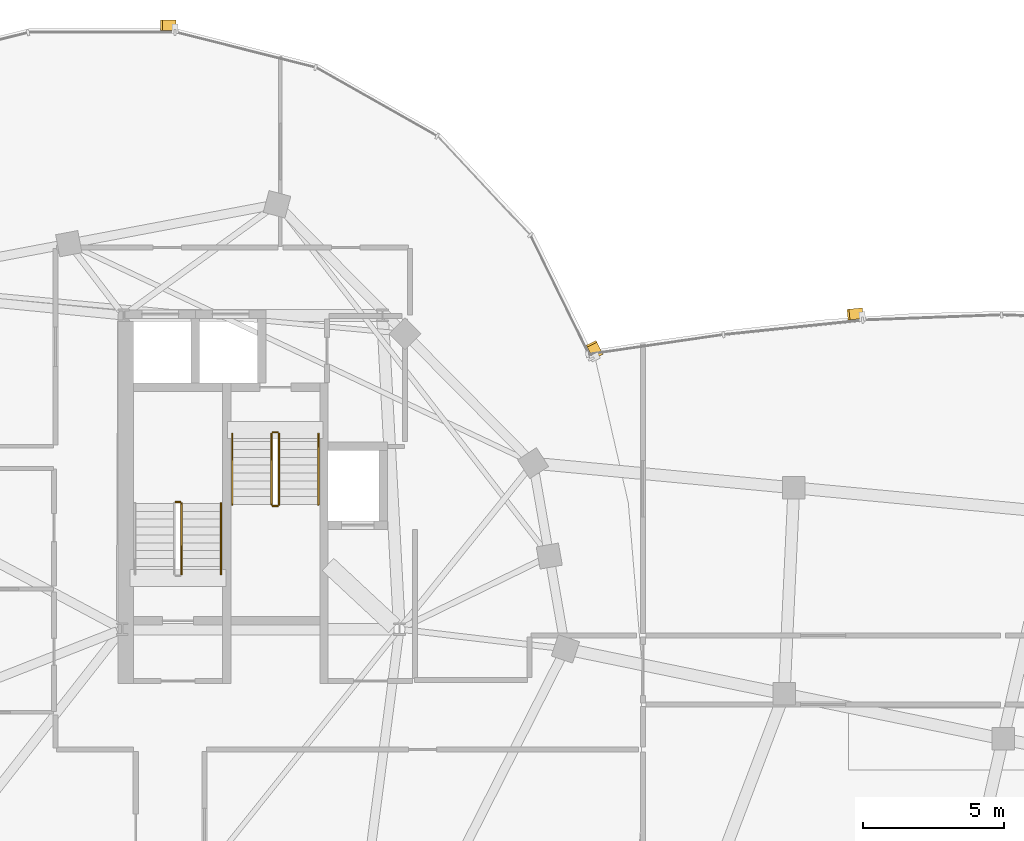
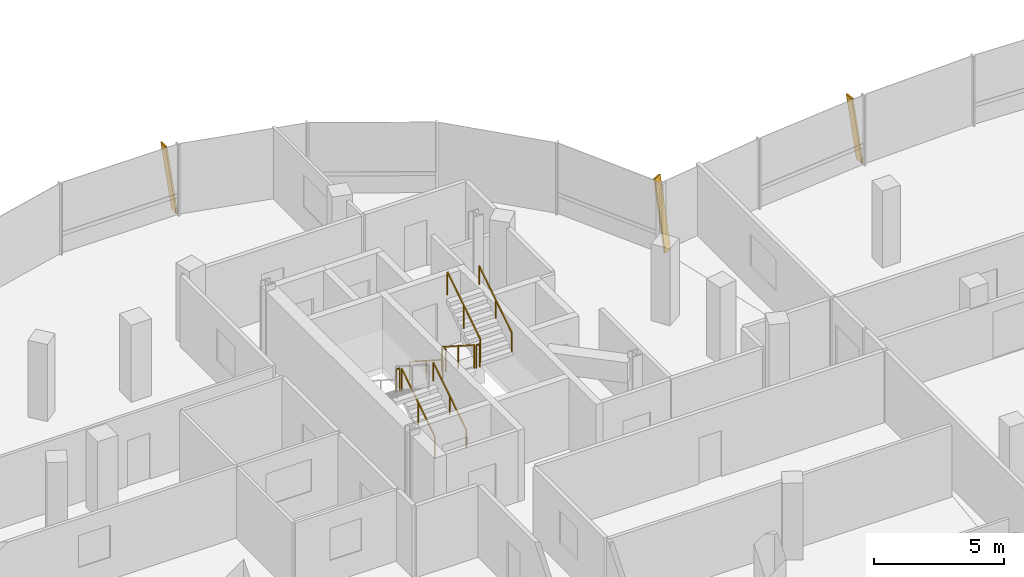
# One storey, part 24 of 26: 9 railings, 3 shading devices.
"""IFC4 building model written with IfcOpenShell, lengths in metres."""

from ifc_helpers import new_model, si_unit, direction, frame, origin, origin_2d, place, context, subcontext, project, spatial, rectangle, extrude, material, material_profile, profile_set, type_object, element, save


model = new_model("IFC4")

# Units and contexts
model_context = context("Model", 3, precision=1e-05, world=origin(), true_north=direction((0.0, 1.0)))
body_context = subcontext(model_context, "Body", "Model", "MODEL_VIEW")
ifc_project = project(units=[si_unit("LENGTHUNIT", "METRE"), si_unit("AREAUNIT", "SQUARE_METRE"), si_unit("VOLUMEUNIT", "CUBIC_METRE"), si_unit("PLANEANGLEUNIT", "RADIAN"), si_unit("MASSUNIT", "GRAM", prefix="KILO"), si_unit("THERMODYNAMICTEMPERATUREUNIT", "KELVIN"), si_unit("POWERUNIT", "WATT")], contexts=[model_context])

# Site, building, storey
site_placement = place(None, origin())
site = spatial("IfcSite", under=ifc_project, at=site_placement, CompositionType="ELEMENT")
building_placement = place(site_placement, origin())
building = spatial("IfcBuilding", under=site, at=building_placement, Name="Cundina Bronze Exchange", CompositionType="ELEMENT")
storey_placement = place(building_placement, frame((0.0, 0.0, 243.199951171875)))
storey = spatial("IfcBuildingStorey", under=building, at=storey_placement, Name="L64", CompositionType="ELEMENT", Elevation=243.199951171875)

# Railings
ifc_material_1 = material(Name="Steel ASTM A36 Painted", Category="steel")
railing_type_1 = type_object("IfcRailingType", Name="RLG-HND-900", PredefinedType="HANDRAIL", material=ifc_material_1)
railing_1_placement = place(storey_placement, frame((-27.7900390625, 5.85009765625, 0.179931640625)))
element("IfcRailing", 1, at=railing_1_placement, inside=storey, type_object=railing_type_1, Name="L64 ST-W1 stair handrail 1", PredefinedType="HANDRAIL", context=body_context, shape_type="SweptSolid", body=[
    extrude(rectangle(XDim=0.048095703125, YDim=0.048095703125, at=origin_2d()), frame((0.0, 0.0, 0.8759765625), z_axis=(0.0, 0.841162588446, 0.540782303519), x_axis=(-1.0, 0.0, 0.0)), (0.0, 0.0, 1.0), 2.995849609375),
    extrude(rectangle(XDim=0.0419921875, YDim=0.0419921875, at=origin_2d()), origin(), (0.0, 0.0, 1.0), 0.851806640625),
    extrude(rectangle(XDim=0.0419921875, YDim=0.0419921875, at=origin_2d()), frame((0.0, 1.260009765625, 0.81005859375)), (0.0, 0.0, 1.0), 0.851806640625),
    extrude(rectangle(XDim=0.0419921875, YDim=0.0419921875, at=origin_2d()), frame((0.0, 2.52001953125, 1.6201171875)), (0.0, 0.0, 1.0), 0.851806640625),
])
railing_2_placement = place(storey_placement, frame((-27.389892578125, 10.85009765625, 0.179931640625)))
element("IfcRailing", 2, at=railing_2_placement, inside=storey, type_object=railing_type_1, Name="L64 ST-W2 stair handrail 1", PredefinedType="HANDRAIL", context=body_context, shape_type="SweptSolid", body=[
    extrude(rectangle(XDim=0.048095703125, YDim=0.048095703125, at=origin_2d()), frame((0.0, 0.0, 0.8759765625), z_axis=(0.0, -0.841162588446, 0.540782303519), x_axis=(1.0, 0.0, 0.0)), (0.0, 0.0, 1.0), 2.995849609375),
    extrude(rectangle(XDim=0.0419921875, YDim=0.0419921875, at=origin_2d()), origin(), (0.0, 0.0, 1.0), 0.851806640625),
    extrude(rectangle(XDim=0.0419921875, YDim=0.0419921875, at=origin_2d()), frame((0.0, -1.260009765625, 0.81005859375)), (0.0, 0.0, 1.0), 0.851806640625),
    extrude(rectangle(XDim=0.0419921875, YDim=0.0419921875, at=origin_2d()), frame((0.0, -2.52001953125, 1.6201171875)), (0.0, 0.0, 1.0), 0.851806640625),
])
railing_3_placement = place(storey_placement, frame((-24.330078125, 8.330078125, 1.97998046875)))
element("IfcRailing", 3, at=railing_3_placement, inside=storey, type_object=railing_type_1, Name="L64 ST-W2 stair handrail 2", PredefinedType="HANDRAIL", context=body_context, shape_type="SweptSolid", body=[
    extrude(rectangle(XDim=0.048095703125, YDim=0.048095703125, at=origin_2d()), frame((0.0, 0.0, 0.8759765625), z_axis=(0.0, 0.841162588446, 0.540782303519), x_axis=(-1.0, 0.0, 0.0)), (0.0, 0.0, 1.0), 2.995849609375),
    extrude(rectangle(XDim=0.0419921875, YDim=0.0419921875, at=origin_2d()), origin(), (0.0, 0.0, 1.0), 0.851806640625),
    extrude(rectangle(XDim=0.0419921875, YDim=0.0419921875, at=origin_2d()), frame((0.0, 1.260009765625, 0.81005859375)), (0.0, 0.0, 1.0), 0.851806640625),
    extrude(rectangle(XDim=0.0419921875, YDim=0.0419921875, at=origin_2d()), frame((0.0, 2.52001953125, 1.6201171875)), (0.0, 0.0, 1.0), 0.851806640625),
])
railing_type_2 = type_object("IfcRailingType", Name="RLG-STG-1100", PredefinedType="GUARDRAIL", material=ifc_material_1)
railing_4_placement = place(storey_placement, frame((-29.18994140625, 5.85009765625, 0.179931640625)))
element("IfcRailing", 4, at=railing_4_placement, inside=storey, type_object=railing_type_2, Name="L64 ST-W1 stair guard 1", PredefinedType="GUARDRAIL", context=body_context, shape_type="SweptSolid", body=[
    extrude(rectangle(XDim=0.048095703125, YDim=0.048095703125, at=origin_2d()), frame((0.0, 0.0, 1.076171875), z_axis=(0.0, 0.841162588446, 0.540782303519), x_axis=(-1.0, 0.0, 0.0)), (0.0, 0.0, 1.0), 2.995849609375),
    extrude(rectangle(XDim=0.0419921875, YDim=0.0419921875, at=origin_2d()), origin(), (0.0, 0.0, 1.0), 1.052001953125),
    extrude(rectangle(XDim=0.0419921875, YDim=0.0419921875, at=origin_2d()), frame((0.0, 1.260009765625, 0.81005859375)), (0.0, 0.0, 1.0), 1.052001953125),
    extrude(rectangle(XDim=0.0419921875, YDim=0.0419921875, at=origin_2d()), frame((0.0, 2.52001953125, 1.6201171875)), (0.0, 0.0, 1.0), 1.052001953125),
])
railing_5_placement = place(storey_placement, frame((-29.239990234375, 8.419921875, 1.800048828125)))
element("IfcRailing", 5, at=railing_5_placement, inside=storey, type_object=railing_type_2, Name="L64 ST-W1 stair guard 2", PredefinedType="GUARDRAIL", context=body_context, shape_type="SweptSolid", body=[
    extrude(rectangle(XDim=0.048095703125, YDim=0.048095703125, at=origin_2d()), frame((0.0, 0.0, 1.076171875), z_axis=(-1.0, 0.0, 0.0), x_axis=(0.0, -1.0, 0.0)), (0.0, 0.0, 1.0), 0.159912109375),
    extrude(rectangle(XDim=0.0419921875, YDim=0.0419921875, at=origin_2d()), origin(), (0.0, 0.0, 1.0), 1.052001953125),
    extrude(rectangle(XDim=0.0419921875, YDim=0.0419921875, at=origin_2d()), frame((-0.159912109375, 0.0, 0.0)), (0.0, 0.0, 1.0), 1.052001953125),
])
railing_6_placement = place(storey_placement, frame((-25.989990234375, 10.85009765625, 0.179931640625)))
element("IfcRailing", 6, at=railing_6_placement, inside=storey, type_object=railing_type_2, Name="L64 ST-W2 stair guard 1", PredefinedType="GUARDRAIL", context=body_context, shape_type="SweptSolid", body=[
    extrude(rectangle(XDim=0.048095703125, YDim=0.048095703125, at=origin_2d()), frame((0.0, 0.0, 1.076171875), z_axis=(0.0, -0.841162588446, 0.540782303519), x_axis=(1.0, 0.0, 0.0)), (0.0, 0.0, 1.0), 2.995849609375),
    extrude(rectangle(XDim=0.0419921875, YDim=0.0419921875, at=origin_2d()), origin(), (0.0, 0.0, 1.0), 1.052001953125),
    extrude(rectangle(XDim=0.0419921875, YDim=0.0419921875, at=origin_2d()), frame((0.0, -1.260009765625, 0.81005859375)), (0.0, 0.0, 1.0), 1.052001953125),
    extrude(rectangle(XDim=0.0419921875, YDim=0.0419921875, at=origin_2d()), frame((0.0, -2.52001953125, 1.6201171875)), (0.0, 0.0, 1.0), 1.052001953125),
])
railing_7_placement = place(storey_placement, frame((-25.93994140625, 8.280029296875, 1.800048828125)))
element("IfcRailing", 7, at=railing_7_placement, inside=storey, type_object=railing_type_2, Name="L64 ST-W2 stair guard 2", PredefinedType="GUARDRAIL", context=body_context, shape_type="SweptSolid", body=[
    extrude(rectangle(XDim=0.048095703125, YDim=0.048095703125, at=origin_2d()), frame((0.0, 0.0, 1.076171875), z_axis=(1.0, 0.0, 0.0), x_axis=(0.0, 1.0, 0.0)), (0.0, 0.0, 1.0), 0.159912109375),
    extrude(rectangle(XDim=0.0419921875, YDim=0.0419921875, at=origin_2d()), origin(), (0.0, 0.0, 1.0), 1.052001953125),
    extrude(rectangle(XDim=0.0419921875, YDim=0.0419921875, at=origin_2d()), frame((0.159912109375, 0.0, 0.0)), (0.0, 0.0, 1.0), 1.052001953125),
])
railing_8_placement = place(storey_placement, frame((-25.72998046875, 8.330078125, 1.97998046875)))
element("IfcRailing", 8, at=railing_8_placement, inside=storey, type_object=railing_type_2, Name="L64 ST-W2 stair guard 3", PredefinedType="GUARDRAIL", context=body_context, shape_type="SweptSolid", body=[
    extrude(rectangle(XDim=0.048095703125, YDim=0.048095703125, at=origin_2d()), frame((0.0, 0.0, 1.076171875), z_axis=(0.0, 0.841162588446, 0.540782303519), x_axis=(-1.0, 0.0, 0.0)), (0.0, 0.0, 1.0), 2.995849609375),
    extrude(rectangle(XDim=0.0419921875, YDim=0.0419921875, at=origin_2d()), origin(), (0.0, 0.0, 1.0), 1.052001953125),
    extrude(rectangle(XDim=0.0419921875, YDim=0.0419921875, at=origin_2d()), frame((0.0, 1.260009765625, 0.81005859375)), (0.0, 0.0, 1.0), 1.052001953125),
    extrude(rectangle(XDim=0.0419921875, YDim=0.0419921875, at=origin_2d()), frame((0.0, 2.52001953125, 1.6201171875)), (0.0, 0.0, 1.0), 1.052001953125),
])
railing_9_placement = place(storey_placement, frame((-25.93994140625, 10.89990234375, 0.0)))
element("IfcRailing", 9, at=railing_9_placement, inside=storey, type_object=railing_type_2, Name="L64 ST-W2 stair guard 4", PredefinedType="GUARDRAIL", context=body_context, shape_type="SweptSolid", body=[
    extrude(rectangle(XDim=0.048095703125, YDim=0.048095703125, at=origin_2d()), frame((0.0, 0.0, 1.076171875), z_axis=(1.0, 0.0, 0.0), x_axis=(0.0, 1.0, 0.0)), (0.0, 0.0, 1.0), 0.159912109375),
    extrude(rectangle(XDim=0.0419921875, YDim=0.0419921875, at=origin_2d()), origin(), (0.0, 0.0, 1.0), 1.052001953125),
    extrude(rectangle(XDim=0.0419921875, YDim=0.0419921875, at=origin_2d()), frame((0.159912109375, 0.0, 0.0)), (0.0, 0.0, 1.0), 1.052001953125),
])

# Shading devices
ifc_material_2 = material(Name="Anodised Bronze Aluminium 6063-T6", Category="aluminium")
ifc_material_profile = material_profile(ifc_material_2, rectangle(XDim=0.070068359375, YDim=0.3798828125, at=origin_2d()), Name="FIN70X380", Category="aluminium")
ifc_profile_set = profile_set([ifc_material_profile], Name="Anodised Bronze Aluminium 6063-T6")
shading_device_type = type_object("IfcShadingDeviceType", Name="SHD-FIN-BRZ380", PredefinedType="USERDEFINED", material=ifc_profile_set)
for number, where, z_axis, x_axis, name in (
    (10, (-14.406494140625, 13.614013671875, 0.02001953125), (-0.063400368732, 0.129216686851, 0.989587510574), (0.435900311632, -0.888411143223, 0.143932480407), "L64 Diagonal Bronze Solar Fin 1"),
    (11, (-29.423583984375, 25.360107421875, 0.02001953125), (-0.143932024572, 0.0, 0.989587576874), (0.989587576874, 0.0, 0.143932024572), "L64 Diagonal Bronze Solar Fin 5"),
):
    element("IfcShadingDevice", number, at=place(storey_placement, frame(where, z_axis=z_axis, x_axis=x_axis)), inside=storey, type_object=shading_device_type, Name=name, ObjectType="FIN", PredefinedType="USERDEFINED", context=body_context, shape_type="SweptSolid", body=[
        extrude(rectangle(XDim=0.070068359375, YDim=0.3798828125, at=origin_2d()), origin(), (0.0, 0.0, 1.0), 3.334716796875),
    ])
shading_device_placement = place(storey_placement, frame((-5.0146484375, 15.12890625, 0.02001953125), z_axis=(-0.145724273631, -0.015056932621, 0.989210657471), x_axis=(0.983972150742, 0.101668733734, 0.14650008582)))
element("IfcShadingDevice", 12, at=shading_device_placement, inside=storey, type_object=shading_device_type, Name="L64 Diagonal Bronze Solar Fin 5", ObjectType="FIN", PredefinedType="USERDEFINED", context=body_context, shape_type="SweptSolid", body=[
    extrude(rectangle(XDim=0.070068359375, YDim=0.3798828125, at=origin_2d()), origin(), (0.0, 0.0, 1.0), 3.275390625),
])

save(model, "model.ifc")
